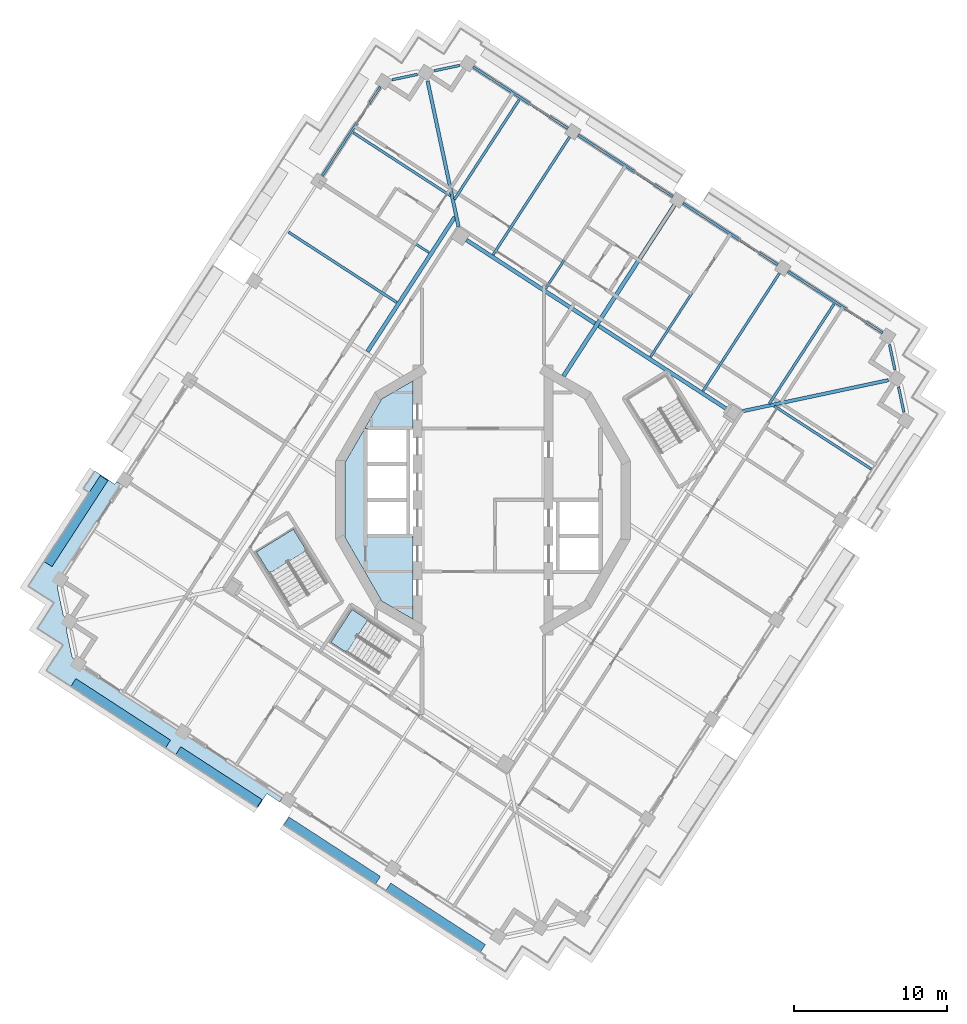
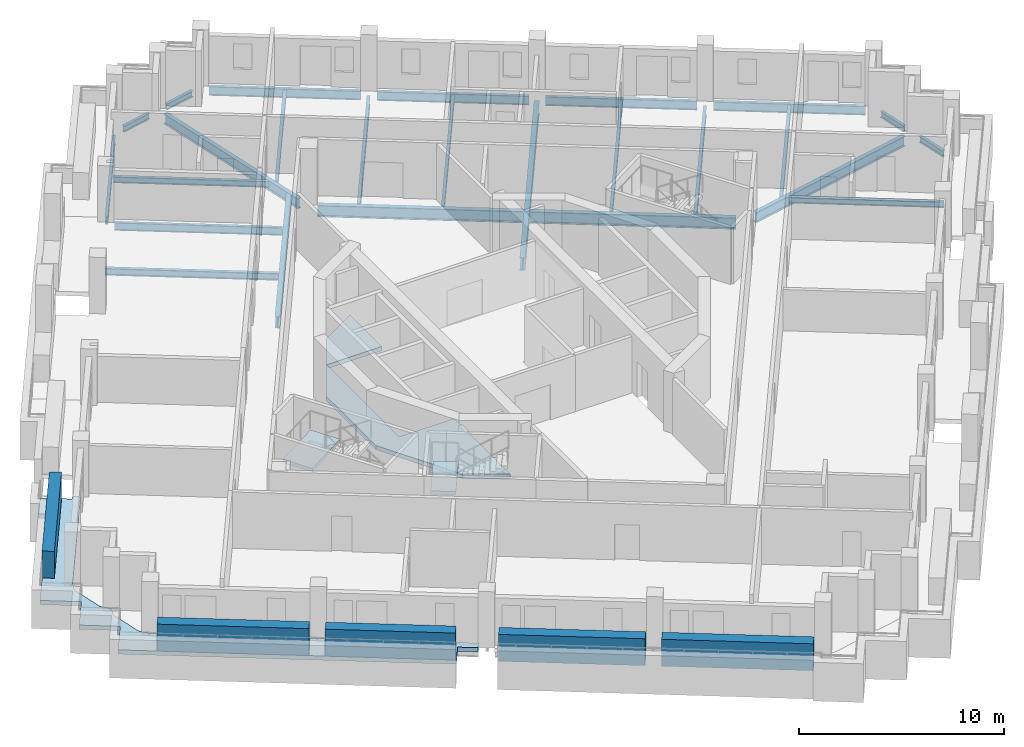
# One storey, part 2 of 15: 25 beams, 5 plates, 4 slabs, 2 elements without a shape of their own.
"""IFC4 building model written with IfcOpenShell, lengths in metres."""

import ifcopenshell
import ifcopenshell.guid

model = None  # the IFC model being written
_history = None  # IfcOwnerHistory: only IFC2X3 demands one
_inside = {}  # id of a spatial element -> (the spatial element, [elements in it])
_under = {}  # id of a project, library or spatial element -> (it, [spatial elements below it])
_declared = {}  # id of a project -> (the project, [libraries it declares])
_typed = {}  # id of a type object -> (the type object, [elements of that type])
_made_of = {}  # id of a material, layer set ... -> (it, [elements and type objects made of it])


def new_model(schema):
    """Start an empty IFC model of exactly this schema.

    Asked for "IFC4X3", IfcOpenShell would pick the latest addendum, in which some entities
    have other attributes; the version numbers below select the first issue.
    IFC2X3 requires an IfcOwnerHistory on every rooted entity: one is made here for all.
    """
    global model, _history
    if schema == "IFC4X3":
        model = ifcopenshell.file(schema_version=(4, 3, 0, 0))
    else:
        model = ifcopenshell.file(schema=schema)
    _inside.clear()
    _under.clear()
    _declared.clear()
    _typed.clear()
    _made_of.clear()
    _history = None
    if model.schema == "IFC2X3":
        org = make("IfcOrganization", Name="unknown")
        user = make(
            "IfcPersonAndOrganization",
            ThePerson=make("IfcPerson", FamilyName="unknown"),
            TheOrganization=org,
        )
        app = make(
            "IfcApplication",
            ApplicationDeveloper=org,
            Version="unknown",
            ApplicationFullName="unknown",
            ApplicationIdentifier="unknown",
        )
        _history = make(
            "IfcOwnerHistory",
            OwningUser=user,
            OwningApplication=app,
            ChangeAction="ADDED",
            CreationDate=0,
        )
    return model


def make(cls, **values):
    """One entity of the class cls with the attributes given. An attribute that is None is left unset."""
    return model.create_entity(
        cls, **{name: value for name, value in values.items() if value is not None}
    )


def rooted(cls, **values):
    """An entity with a GlobalId (a new one), such as an element, a storey or a relation."""
    return make(cls, GlobalId=ifcopenshell.guid.new(), OwnerHistory=_history, **values)


def si_unit(unit_type, name, prefix=None):
    """IfcSIUnit, for example si_unit("LENGTHUNIT", "METRE", prefix="MILLI")."""
    return make("IfcSIUnit", UnitType=unit_type, Prefix=prefix, Name=name)


def assignment(units):
    """IfcUnitAssignment: the units of a project."""
    return None if units is None else make("IfcUnitAssignment", Units=units)


def point(xyz):
    """IfcCartesianPoint."""
    return None if xyz is None else make("IfcCartesianPoint", Coordinates=xyz)


def direction(xyz):
    """IfcDirection."""
    return None if xyz is None else make("IfcDirection", DirectionRatios=xyz)


def frame(location, z_axis=None, x_axis=None):
    """IfcAxis2Placement3D, a coordinate frame: its origin and axes. An axis left out is left unset."""
    return make(
        "IfcAxis2Placement3D",
        Location=point(location),
        Axis=direction(z_axis),
        RefDirection=direction(x_axis),
    )


def frame_2d(location, x_axis=None):
    """IfcAxis2Placement2D, a coordinate frame in the plane: its origin and x axis."""
    return make(
        "IfcAxis2Placement2D", Location=point(location), RefDirection=direction(x_axis)
    )


def origin():
    """The frame at (0, 0, 0) with its axes left unset."""
    return frame((0.0, 0.0, 0.0))


def origin_2d():
    """The frame at (0, 0) in the plane with its x axis left unset."""
    return frame_2d((0.0, 0.0))


def place(relative_to, where):
    """IfcLocalPlacement: puts the frame where relative to a parent placement (None: the world)."""
    return make(
        "IfcLocalPlacement", PlacementRelTo=relative_to, RelativePlacement=where
    )


def context(
    kind, dimensions, precision=None, world=None, true_north=None, identifier=None
):
    """IfcGeometricRepresentationContext, for example the 3D "Model" context."""
    return make(
        "IfcGeometricRepresentationContext",
        ContextIdentifier=identifier,
        ContextType=kind,
        CoordinateSpaceDimension=dimensions,
        Precision=precision,
        WorldCoordinateSystem=world,
        TrueNorth=true_north,
    )


def subcontext(parent, identifier, kind, view, scale=None):
    """IfcGeometricRepresentationSubContext, for example "Body" below "Model"."""
    return make(
        "IfcGeometricRepresentationSubContext",
        ContextIdentifier=identifier,
        ContextType=kind,
        ParentContext=parent,
        TargetScale=scale,
        TargetView=view,
    )


def project(units=None, contexts=None):
    """IfcProject with its units and contexts."""
    return rooted(
        "IfcProject",
        Name="project",
        RepresentationContexts=contexts,
        UnitsInContext=assignment(units),
    )


def spatial(cls, under=None, at=None, **own):
    """A site, building, storey or space (cls), placed at a placement, below another one or the project."""
    s = rooted(cls, ObjectPlacement=at, **own)
    if under is not None:
        _under.setdefault(under.id(), (under, []))[1].append(s)
    return s


def polyline(points):
    """IfcPolyline through the points."""
    return make("IfcPolyline", Points=[point(p) for p in points])


def profile(cls, at=None, kind="AREA", **sizes):
    """A parametric profile (cls). Its sizes go by their IFC names, for example OverallWidth=200.0."""
    return make(cls, ProfileType=kind, Position=at, **sizes)


def rectangle(**sizes):
    """IfcRectangleProfileDef."""
    return profile("IfcRectangleProfileDef", **sizes)


def i_section(**sizes):
    """IfcIShapeProfileDef."""
    return profile("IfcIShapeProfileDef", **sizes)


def outline(outer, holes=None, kind="AREA"):
    """IfcArbitraryClosedProfileDef: a profile drawn as a closed curve; with holes, ...WithVoids."""
    if holes is None:
        return make("IfcArbitraryClosedProfileDef", ProfileType=kind, OuterCurve=outer)
    return make(
        "IfcArbitraryProfileDefWithVoids",
        ProfileType=kind,
        OuterCurve=outer,
        InnerCurves=holes,
    )


def extrude(swept, where, along, depth):
    """IfcExtrudedAreaSolid: the profile swept, set in the frame where, extruded along a direction by depth."""
    return make(
        "IfcExtrudedAreaSolid",
        SweptArea=swept,
        Position=where,
        ExtrudedDirection=direction(along),
        Depth=depth,
    )


def shape(context_of_items, identifier, shape_type, items):
    """IfcShapeRepresentation: the items that make up one representation, for example the "Body"."""
    return make(
        "IfcShapeRepresentation",
        ContextOfItems=context_of_items,
        RepresentationIdentifier=identifier,
        RepresentationType=shape_type,
        Items=items,
    )


def material(Name=None, Category=None):
    """IfcMaterial."""
    return make("IfcMaterial", Name=Name, Category=Category)


def layer(
    of_material, thickness, ventilated=None, Name=None, Category=None, Priority=None
):
    """IfcMaterialLayer: one layer of a wall or slab, of a material (None: an air gap)."""
    return make(
        "IfcMaterialLayer",
        Material=of_material,
        LayerThickness=thickness,
        IsVentilated=ventilated,
        Name=Name,
        Category=Category,
        Priority=Priority,
    )


def layer_set(layers, Name=None):
    """IfcMaterialLayerSet."""
    return make("IfcMaterialLayerSet", MaterialLayers=layers, LayerSetName=Name)


def material_profile(
    of_material, cross_section, Name=None, Category=None, Priority=None
):
    """IfcMaterialProfile: a cross section and its material."""
    return make(
        "IfcMaterialProfile",
        Name=Name,
        Material=of_material,
        Profile=cross_section,
        Priority=Priority,
        Category=Category,
    )


def profile_set(profiles, Name=None, composite=None):
    """IfcMaterialProfileSet."""
    return make(
        "IfcMaterialProfileSet",
        Name=Name,
        MaterialProfiles=profiles,
        CompositeProfile=composite,
    )


def made_of(thing, what):
    """Note that an element or type object is made of a material, layer set ...; save() writes the relation."""
    if what is not None:
        _made_of.setdefault(what.id(), (what, []))[1].append(thing)
    return thing


def type_object(cls, material=None, **own):
    """A type object (cls), such as IfcWallType, which elements share."""
    return made_of(rooted(cls, **own), material)


def element(
    cls,
    number,
    at=None,
    inside=None,
    cuts=None,
    type_object=None,
    material=None,
    context=None,
    identifier="Body",
    shape_type=None,
    held_by="IfcProductDefinitionShape",
    body=None,
    shapes=None,
    **own,
):
    """One element of the class cls, such as IfcWall. Its Tag is "e" and its number.

    at: its placement. inside: the storey or other place that contains it. cuts: it is an
    opening in that element (IfcRelVoidsElement). A single representation is given by context,
    identifier, shape_type and body (its items); several are given by shapes. held_by: the class
    of the entity that holds the representations. save() writes the other relations.
    """
    e = rooted(cls, Tag="e%d" % number, ObjectPlacement=at, **own)
    if body is not None:
        shapes = [shape(context, identifier, shape_type, body)]
    if shapes is not None:
        e.Representation = make(held_by, Representations=shapes)
    if inside is not None:
        _inside.setdefault(inside.id(), (inside, []))[1].append(e)
    if cuts is not None:
        rooted(
            "IfcRelVoidsElement", RelatingBuildingElement=cuts, RelatedOpeningElement=e
        )
    if type_object is not None:
        _typed.setdefault(type_object.id(), (type_object, []))[1].append(e)
    return made_of(e, material)


def aggregate(whole, parts):
    """IfcRelAggregates: a whole, such as a stair, and the parts it consists of."""
    return rooted("IfcRelAggregates", RelatingObject=whole, RelatedObjects=parts)


def save(model, path):
    """Write the relations noted so far, then the file.

    IfcRelAggregates (storeys below a building ...), IfcRelContainedInSpatialStructure (elements
    in a storey), IfcRelDefinesByType, IfcRelAssociatesMaterial and IfcRelDeclares: one each for
    every whole, place, type object, material and project.
    """
    for whole, parts in _under.values():
        aggregate(whole, parts)
    for where, things in _inside.values():
        rooted(
            "IfcRelContainedInSpatialStructure",
            RelatedElements=things,
            RelatingStructure=where,
        )
    for kind, things in _typed.values():
        rooted("IfcRelDefinesByType", RelatedObjects=things, RelatingType=kind)
    for what, things in _made_of.values():
        rooted("IfcRelAssociatesMaterial", RelatedObjects=things, RelatingMaterial=what)
    for by, libraries in _declared.values():
        rooted("IfcRelDeclares", RelatingContext=by, RelatedDefinitions=libraries)
    model.write(path)


model = new_model("IFC4")

# Units and contexts
model_context = context("Model", 3, precision=1e-05, world=origin(), true_north=direction((0.0, 1.0)))
body_context = subcontext(model_context, "Body", "Model", "MODEL_VIEW")
ifc_project = project(units=[si_unit("LENGTHUNIT", "METRE"), si_unit("AREAUNIT", "SQUARE_METRE"), si_unit("VOLUMEUNIT", "CUBIC_METRE"), si_unit("PLANEANGLEUNIT", "RADIAN"), si_unit("MASSUNIT", "GRAM", prefix="KILO")], contexts=[model_context])

# Site, building, storey
site_placement = place(None, origin())
site = spatial("IfcSite", under=ifc_project, at=site_placement, CompositionType="ELEMENT")
building_placement = place(site_placement, origin())
building = spatial("IfcBuilding", under=site, at=building_placement, Name="Cantera Rosa Tower", CompositionType="ELEMENT")
storey_placement = place(building_placement, frame((0.0, 0.0, 282.89990234375)))
storey = spatial("IfcBuildingStorey", under=building, at=storey_placement, Name="L64", CompositionType="ELEMENT", Elevation=282.89990234375)

# Beams
ifc_material_1 = material(Name="Steel ASTM A992 (Fy 345 MPa)", Category="steel")
ifc_material_profile_1 = material_profile(ifc_material_1, i_section(OverallWidth=0.154052734375, OverallDepth=0.4599609375, WebThickness=0.009033203125, FlangeThickness=0.015380859375, FilletRadius=0.01025390625, at=origin_2d()), Name="W460X68")
ifc_profile_set_1 = profile_set([ifc_material_profile_1], Name="Steel ASTM A992 (Fy 345 MPa)")
beam_type_1 = type_object("IfcBeamType", Name="STEEL BEAM W460X68", PredefinedType="BEAM", material=ifc_profile_set_1)
beam_1_placement = place(storey_placement, frame((-10.41748046875, 20.68017578125, -0.47998046875), z_axis=(0.838672777751, -0.544635632198, 0.0), x_axis=(0.544635632198, 0.838672777751, 0.0)))
element("IfcBeam", 1, at=beam_1_placement, inside=storey, type_object=beam_type_1, Name="G-Z5-04 L64", PredefinedType="BEAM", context=body_context, shape_type="SweptSolid", body=[
    extrude(i_section(OverallWidth=0.154052734375, OverallDepth=0.4599609375, WebThickness=0.009033203125, FlangeThickness=0.015380859375, FilletRadius=0.01025390625, at=origin_2d()), origin(), (0.0, 0.0, 1.0), 8.2001953125),
])
ifc_material_2 = material(Name="Steel ASTM A992 (Fy 345 MPa)", Category="steel")
ifc_material_profile_2 = material_profile(ifc_material_2, i_section(OverallWidth=0.166015625, OverallDepth=0.528076171875, WebThickness=0.009765625, FlangeThickness=0.013671875, FilletRadius=0.0126953125, at=origin_2d()), Name="W530X74")
ifc_profile_set_2 = profile_set([ifc_material_profile_2], Name="Steel ASTM A992 (Fy 345 MPa)")
beam_type_2 = type_object("IfcBeamType", Name="STEEL BEAM W530X74", PredefinedType="BEAM", material=ifc_profile_set_2)
beam_2_placement = place(storey_placement, frame((19.430908203125, 14.865234375, -0.513916015625), z_axis=(-0.544634776066, -0.838673333724, 0.0), x_axis=(0.838673333724, -0.544634776066, 0.0)))
element("IfcBeam", 2, at=beam_2_placement, inside=storey, type_object=beam_type_2, Name="G-Z5-01 L64", PredefinedType="BEAM", context=body_context, shape_type="SweptSolid", body=[
    extrude(i_section(OverallWidth=0.166015625, OverallDepth=0.528076171875, WebThickness=0.009765625, FlangeThickness=0.013671875, FilletRadius=0.0126953125, at=origin_2d()), origin(), (0.0, 0.0, 1.0), 9.19970703125),
])
beam_3_placement = place(storey_placement, frame((5.6767578125, 23.79736328125, -0.513916015625), z_axis=(-0.544622654601, -0.838681205283, 0.0), x_axis=(0.838681205283, -0.544622654601, 0.0)))
element("IfcBeam", 3, at=beam_3_placement, inside=storey, type_object=beam_type_2, Name="G-Z5-03 L64", PredefinedType="BEAM", context=body_context, shape_type="SweptSolid", body=[
    extrude(i_section(OverallWidth=0.166015625, OverallDepth=0.528076171875, WebThickness=0.009765625, FlangeThickness=0.013671875, FilletRadius=0.0126953125, at=origin_2d()), origin(), (0.0, 0.0, 1.0), 9.199951171875),
])
ifc_material_3 = material(Name="Steel ASTM A992 (Fy 345 MPa)", Category="steel")
ifc_material_profile_3 = material_profile(ifc_material_3, i_section(OverallWidth=0.22802734375, OverallDepth=0.60205078125, WebThickness=0.010498046875, FlangeThickness=0.014892578125, FilletRadius=0.0126953125, at=origin_2d()), Name="W610X101")
ifc_profile_set_3 = profile_set([ifc_material_profile_3], Name="Steel ASTM A992 (Fy 345 MPa)")
beam_type_3 = type_object("IfcBeamType", Name="STEEL BEAM W610X101", PredefinedType="BEAM", material=ifc_profile_set_3)
for number, where, z_axis, x_axis, name in (
    (4, (-3.63134765625, 27.45751953125, -0.55078125), (0.20790902572, -0.978148167214, 0.0), (0.978148167214, 0.20790902572, 0.0), "CB-Z5-01 L64"),
    (5, (26.560791015625, 7.8505859375, -0.55078125), (-0.978148167214, -0.20790902572, 0.0), (0.20790902572, -0.978148167214, 0.0), "CB-Z5-04 L64"),
):
    element("IfcBeam", number, at=place(storey_placement, frame(where, z_axis=z_axis, x_axis=x_axis)), inside=storey, type_object=beam_type_3, Name=name, PredefinedType="BEAM", context=body_context, shape_type="SweptSolid", body=[
        extrude(i_section(OverallWidth=0.22802734375, OverallDepth=0.60205078125, WebThickness=0.010498046875, FlangeThickness=0.014892578125, FilletRadius=0.0126953125, at=origin_2d()), origin(), (0.0, 0.0, 1.0), 9.758056640625),
    ])
ifc_material_4 = material(Name="Steel ASTM A992 (Fy 345 MPa)", Category="steel")
ifc_material_profile_4 = material_profile(ifc_material_4, i_section(OverallWidth=0.25390625, OverallDepth=0.677978515625, WebThickness=0.01171875, FlangeThickness=0.016357421875, FilletRadius=0.01513671875, at=origin_2d()), Name="W690X125")
ifc_profile_set_4 = profile_set([ifc_material_profile_4], Name="Steel ASTM A992 (Fy 345 MPa)")
beam_type_4 = type_object("IfcBeamType", Name="STEEL BEAM W690X125", PredefinedType="BEAM", material=ifc_profile_set_4)
beam_4_placement = place(storey_placement, frame((-7.570068359375, 9.733154296875, -0.5888671875), z_axis=(0.544635575355, 0.838672814665, 0.0), x_axis=(-0.838672814665, 0.544635575355, 0.0)))
element("IfcBeam", 6, at=beam_4_placement, inside=storey, type_object=beam_type_4, Name="RB-Z5-03 L64", PredefinedType="BEAM", context=body_context, shape_type="SweptSolid", body=[
    extrude(i_section(OverallWidth=0.25390625, OverallDepth=0.677978515625, WebThickness=0.01171875, FlangeThickness=0.016357421875, FilletRadius=0.01513671875, at=origin_2d()), origin(), (0.0, 0.0, 1.0), 10.510009765625),
])
beam_5_placement = place(storey_placement, frame((16.01611328125, 5.9345703125, -0.5888671875), z_axis=(-0.838672207367, 0.544636510519, 0.0), x_axis=(-0.544636510519, -0.838672207367, 0.0)))
element("IfcBeam", 7, at=beam_5_placement, inside=storey, type_object=beam_type_4, Name="RB-Z5-07 L64", PredefinedType="BEAM", context=body_context, shape_type="SweptSolid", body=[
    extrude(i_section(OverallWidth=0.25390625, OverallDepth=0.677978515625, WebThickness=0.01171875, FlangeThickness=0.016357421875, FilletRadius=0.01513671875, at=origin_2d()), origin(), (0.0, 0.0, 1.0), 10.050048828125),
])
beam_6_placement = place(storey_placement, frame((7.335693359375, 11.571533203125, -0.5888671875), z_axis=(-0.838665001306, 0.544647606792, 0.0), x_axis=(-0.544647606792, -0.838665001306, 0.0)))
element("IfcBeam", 8, at=beam_6_placement, inside=storey, type_object=beam_type_4, Name="RB-Z5-08 L64", PredefinedType="BEAM", context=body_context, shape_type="SweptSolid", body=[
    extrude(i_section(OverallWidth=0.25390625, OverallDepth=0.677978515625, WebThickness=0.01171875, FlangeThickness=0.016357421875, FilletRadius=0.01513671875, at=origin_2d()), origin(), (0.0, 0.0, 1.0), 10.0498046875),
])
ifc_material_5 = material(Name="Steel ASTM A992 (Fy 345 MPa)", Category="steel")
ifc_material_profile_5 = material_profile(ifc_material_5, i_section(OverallWidth=0.26708984375, OverallDepth=0.75390625, WebThickness=0.01318359375, FlangeThickness=0.01708984375, FilletRadius=0.0166015625, at=origin_2d()), Name="W760X147")
ifc_profile_set_5 = profile_set([ifc_material_profile_5], Name="Steel ASTM A992 (Fy 345 MPa)")
beam_type_5 = type_object("IfcBeamType", Name="STEEL BEAM W760X147", PredefinedType="BEAM", material=ifc_profile_set_5)
beam_7_placement = place(storey_placement, frame((12.553955078125, 19.331298828125, -0.626953125), z_axis=(-0.54464061985, -0.838669538739, 0.0), x_axis=(0.838669538739, -0.54464061985, 0.0)))
element("IfcBeam", 9, at=beam_7_placement, inside=storey, type_object=beam_type_5, Name="G-Z5-02 L64", PredefinedType="BEAM", context=body_context, shape_type="SweptSolid", body=[
    extrude(i_section(OverallWidth=0.26708984375, OverallDepth=0.75390625, WebThickness=0.01318359375, FlangeThickness=0.01708984375, FilletRadius=0.0166015625, at=origin_2d()), origin(), (0.0, 0.0, 1.0), 13.37744140625),
])
ifc_material_6 = material(Name="Steel ASTM A992 (Fy 345 MPa)", Category="steel")
ifc_material_profile_6 = material_profile(ifc_material_6, i_section(OverallWidth=0.1708984375, OverallDepth=0.35595703125, WebThickness=0.00732421875, FlangeThickness=0.01171875, FilletRadius=0.010009765625, at=origin_2d()), Name="W360X51")
ifc_profile_set_6 = profile_set([ifc_material_profile_6], Name="Steel ASTM A992 (Fy 345 MPa)")
beam_type_6 = type_object("IfcBeamType", Name="STEEL JOIST W360X51", PredefinedType="JOIST", material=ifc_profile_set_6)
for number, where, z_axis, x_axis, name in (
    (10, (23.005859375, 12.842041015625, -0.427978515625), (-0.544641754757, -0.838668801718, 0.0), (0.838668801718, -0.544641754757, 0.0), "B-Z5-01 L64"),
    (11, (2.37451171875, 26.239990234375, -0.427978515625), (-0.54465605183, -0.838659516851, 0.0), (0.838659516851, -0.54465605183, 0.0), "B-Z5-04 L64"),
):
    element("IfcBeam", number, at=place(storey_placement, frame(where, z_axis=z_axis, x_axis=x_axis)), inside=storey, type_object=beam_type_6, Name=name, PredefinedType="JOIST", context=body_context, shape_type="SweptSolid", body=[
        extrude(i_section(OverallWidth=0.1708984375, OverallDepth=0.35595703125, WebThickness=0.00732421875, FlangeThickness=0.01171875, FilletRadius=0.010009765625, at=origin_2d()), origin(), (0.0, 0.0, 1.0), 7.800048828125),
    ])
beam_8_placement = place(storey_placement, frame((-8.508544921875, 24.07861328125, -0.427978515625), z_axis=(0.838670629323, -0.544638940502, 0.0), x_axis=(0.544638940502, 0.838670629323, 0.0)))
element("IfcBeam", 12, at=beam_8_placement, inside=storey, type_object=beam_type_6, Name="B-Z5-05 L64", PredefinedType="JOIST", context=body_context, shape_type="SweptSolid", body=[
    extrude(i_section(OverallWidth=0.1708984375, OverallDepth=0.35595703125, WebThickness=0.00732421875, FlangeThickness=0.01171875, FilletRadius=0.010009765625, at=origin_2d()), origin(), (0.0, 0.0, 1.0), 7.58984375),
])
beam_9_placement = place(storey_placement, frame((25.457763671875, 2.020751953125, -0.427978515625), z_axis=(-0.838680170462, 0.54462424815, 0.0), x_axis=(-0.54462424815, -0.838680170462, 0.0)))
element("IfcBeam", 13, at=beam_9_placement, inside=storey, type_object=beam_type_6, Name="B-Z5-14 L64", PredefinedType="JOIST", context=body_context, shape_type="SweptSolid", body=[
    extrude(i_section(OverallWidth=0.1708984375, OverallDepth=0.35595703125, WebThickness=0.00732421875, FlangeThickness=0.01171875, FilletRadius=0.010009765625, at=origin_2d()), origin(), (0.0, 0.0, 1.0), 7.590087890625),
])
ifc_material_7 = material(Name="Steel ASTM A992 (Fy 345 MPa)", Category="steel")
ifc_material_profile_7 = material_profile(ifc_material_7, i_section(OverallWidth=0.177978515625, OverallDepth=0.406005859375, WebThickness=0.0078125, FlangeThickness=0.0126953125, FilletRadius=0.01025390625, at=origin_2d()), Name="W410X60")
ifc_profile_set_7 = profile_set([ifc_material_profile_7], Name="Steel ASTM A992 (Fy 345 MPa)")
beam_type_7 = type_object("IfcBeamType", Name="STEEL JOIST W410X60", PredefinedType="JOIST", material=ifc_profile_set_7)
beam_10_placement = place(storey_placement, frame((-12.745849609375, 17.5537109375, -0.452880859375), z_axis=(0.838683812595, -0.5446186395, 0.0), x_axis=(0.5446186395, 0.838683812595, 0.0)))
element("IfcBeam", 14, at=beam_10_placement, inside=storey, type_object=beam_type_7, Name="B-Z5-06 L64", PredefinedType="JOIST", context=body_context, shape_type="SweptSolid", body=[
    extrude(i_section(OverallWidth=0.177978515625, OverallDepth=0.406005859375, WebThickness=0.0078125, FlangeThickness=0.0126953125, FilletRadius=0.01025390625, at=origin_2d()), origin(), (0.0, 0.0, 1.0), 8.449951171875),
])
ifc_material_8 = material(Name="Steel ASTM A992 (Fy 345 MPa)", Category="steel")
ifc_material_profile_8 = material_profile(ifc_material_8, i_section(OverallWidth=0.154052734375, OverallDepth=0.4599609375, WebThickness=0.009033203125, FlangeThickness=0.015380859375, FilletRadius=0.01025390625, at=origin_2d()), Name="W460X68")
ifc_profile_set_8 = profile_set([ifc_material_profile_8], Name="Steel ASTM A992 (Fy 345 MPa)")
beam_type_8 = type_object("IfcBeamType", Name="STEEL JOIST W460X68", PredefinedType="JOIST", material=ifc_profile_set_8)
beam_11_placement = place(storey_placement, frame((16.128662109375, 17.30810546875, -0.47998046875), z_axis=(-0.544644146603, -0.838667248419, 0.0), x_axis=(0.838667248419, -0.544644146603, 0.0)))
element("IfcBeam", 15, at=beam_11_placement, inside=storey, type_object=beam_type_8, Name="B-Z5-02 L64", PredefinedType="JOIST", context=body_context, shape_type="SweptSolid", body=[
    extrude(i_section(OverallWidth=0.154052734375, OverallDepth=0.4599609375, WebThickness=0.009033203125, FlangeThickness=0.015380859375, FilletRadius=0.01025390625, at=origin_2d()), origin(), (0.0, 0.0, 1.0), 9.4501953125),
])
beam_12_placement = place(storey_placement, frame((9.25146484375, 21.77392578125, -0.47998046875), z_axis=(-0.544637775879, -0.838671385636, 0.0), x_axis=(0.838671385636, -0.544637775879, 0.0)))
element("IfcBeam", 16, at=beam_12_placement, inside=storey, type_object=beam_type_8, Name="B-Z5-03 L64", PredefinedType="JOIST", context=body_context, shape_type="SweptSolid", body=[
    extrude(i_section(OverallWidth=0.154052734375, OverallDepth=0.4599609375, WebThickness=0.009033203125, FlangeThickness=0.015380859375, FilletRadius=0.01025390625, at=origin_2d()), origin(), (0.0, 0.0, 1.0), 9.44970703125),
])
ifc_material_9 = material(Name="Steel ASTM A992 (Fy 345 MPa)", Category="steel")
ifc_material_profile_9 = material_profile(ifc_material_9, i_section(OverallWidth=0.1708984375, OverallDepth=0.35595703125, WebThickness=0.00732421875, FlangeThickness=0.01171875, FilletRadius=0.010009765625, at=origin_2d()), Name="W360X51")
ifc_profile_set_9 = profile_set([ifc_material_profile_9], Name="Steel ASTM A992 (Fy 345 MPa)")
beam_type_9 = type_object("IfcBeamType", Name="STEEL SPANDREL BEAM W360X51", PredefinedType="SPANDREL", material=ifc_profile_set_9)
for number, where, z_axis, x_axis, name in (
    (17, (-1.53564453125, 28.481201171875, -0.427978515625), (-0.978158850918, -0.20785875582, 0.0), (0.20785875582, -0.978158850918, 0.0), "EB-Z5-05 L64"),
    (18, (-4.30224609375, 27.893310546875, -0.427978515625), (-0.978129595322, -0.207996381593, 0.0), (0.207996381593, -0.978129595322, 0.0), "EB-Z5-06 L64"),
):
    element("IfcBeam", number, at=place(storey_placement, frame(where, z_axis=z_axis, x_axis=x_axis)), inside=storey, type_object=beam_type_9, Name=name, PredefinedType="SPANDREL", context=body_context, shape_type="SweptSolid", body=[
        extrude(i_section(OverallWidth=0.1708984375, OverallDepth=0.35595703125, WebThickness=0.00732421875, FlangeThickness=0.01171875, FilletRadius=0.010009765625, at=origin_2d()), origin(), (0.0, 0.0, 1.0), 1.697265625),
    ])
for number, where, z_axis, x_axis, name in (
    (19, (27.58447265625, 5.7548828125, -0.427978515625), (-0.207888006632, 0.978152634663, 0.0), (-0.978152634663, -0.207888006632, 0.0), "EB-Z5-25 L64"),
    (20, (26.996337890625, 8.521484375, -0.427978515625), (-0.207888006632, 0.978152634663, 0.0), (-0.978152634663, -0.207888006632, 0.0), "EB-Z5-26 L64"),
):
    element("IfcBeam", number, at=place(storey_placement, frame(where, z_axis=z_axis, x_axis=x_axis)), inside=storey, type_object=beam_type_9, Name=name, PredefinedType="SPANDREL", context=body_context, shape_type="SweptSolid", body=[
        extrude(i_section(OverallWidth=0.1708984375, OverallDepth=0.35595703125, WebThickness=0.00732421875, FlangeThickness=0.01171875, FilletRadius=0.010009765625, at=origin_2d()), origin(), (0.0, 0.0, 1.0), 1.697021484375),
    ])
ifc_material_10 = material(Name="Steel ASTM A992 (Fy 345 MPa)", Category="steel")
ifc_material_profile_10 = material_profile(ifc_material_10, i_section(OverallWidth=0.154052734375, OverallDepth=0.4599609375, WebThickness=0.009033203125, FlangeThickness=0.015380859375, FilletRadius=0.01025390625, at=origin_2d()), Name="W460X68")
ifc_profile_set_10 = profile_set([ifc_material_profile_10], Name="Steel ASTM A992 (Fy 345 MPa)")
beam_type_10 = type_object("IfcBeamType", Name="STEEL SPANDREL BEAM W460X68", PredefinedType="SPANDREL", material=ifc_profile_set_10)
beam_13_placement = place(storey_placement, frame((-6.7333984375, 27.08740234375, -0.47998046875), z_axis=(-0.544651451949, -0.838662504164, 0.0), x_axis=(0.838662504164, -0.544651451949, 0.0)))
element("IfcBeam", 21, at=beam_13_placement, inside=storey, type_object=beam_type_10, Name="EB-Z5-07 L64", PredefinedType="SPANDREL", context=body_context, shape_type="SweptSolid", body=[
    extrude(i_section(OverallWidth=0.154052734375, OverallDepth=0.4599609375, WebThickness=0.009033203125, FlangeThickness=0.015380859375, FilletRadius=0.01025390625, at=origin_2d()), origin(), (0.0, 0.0, 1.0), 6.980224609375),
])
ifc_material_11 = material(Name="Steel ASTM A992 (Fy 345 MPa)", Category="steel")
ifc_material_profile_11 = material_profile(ifc_material_11, i_section(OverallWidth=0.166015625, OverallDepth=0.528076171875, WebThickness=0.009765625, FlangeThickness=0.013671875, FilletRadius=0.0126953125, at=origin_2d()), Name="W530X74")
ifc_profile_set_11 = profile_set([ifc_material_profile_11], Name="Steel ASTM A992 (Fy 345 MPa)")
beam_type_11 = type_object("IfcBeamType", Name="STEEL SPANDREL BEAM W530X74", PredefinedType="SPANDREL", material=ifc_profile_set_11)
beam_14_placement = place(storey_placement, frame((26.1904296875, 10.95263671875, -0.513916015625), z_axis=(-0.838669679097, 0.544640403719, 0.0), x_axis=(-0.544640403719, -0.838669679097, 0.0)))
element("IfcBeam", 22, at=beam_14_placement, inside=storey, type_object=beam_type_11, Name="EB-Z5-01 L64", PredefinedType="SPANDREL", context=body_context, shape_type="SweptSolid", body=[
    extrude(i_section(OverallWidth=0.166015625, OverallDepth=0.528076171875, WebThickness=0.009765625, FlangeThickness=0.013671875, FilletRadius=0.0126953125, at=origin_2d()), origin(), (0.0, 0.0, 1.0), 7.39990234375),
])
beam_15_placement = place(storey_placement, frame((19.3134765625, 15.418701171875, -0.513916015625), z_axis=(-0.838679465365, 0.544625333946, 0.0), x_axis=(-0.544625333946, -0.838679465365, 0.0)))
element("IfcBeam", 23, at=beam_15_placement, inside=storey, type_object=beam_type_11, Name="EB-Z5-02 L64", PredefinedType="SPANDREL", context=body_context, shape_type="SweptSolid", body=[
    extrude(i_section(OverallWidth=0.166015625, OverallDepth=0.528076171875, WebThickness=0.009765625, FlangeThickness=0.013671875, FilletRadius=0.0126953125, at=origin_2d()), origin(), (0.0, 0.0, 1.0), 7.400146484375),
])
beam_16_placement = place(storey_placement, frame((12.436279296875, 19.884765625, -0.513916015625), z_axis=(-0.838669679097, 0.544640403719, 0.0), x_axis=(-0.544640403719, -0.838669679097, 0.0)))
element("IfcBeam", 24, at=beam_16_placement, inside=storey, type_object=beam_type_11, Name="EB-Z5-03 L64", PredefinedType="SPANDREL", context=body_context, shape_type="SweptSolid", body=[
    extrude(i_section(OverallWidth=0.166015625, OverallDepth=0.528076171875, WebThickness=0.009765625, FlangeThickness=0.013671875, FilletRadius=0.0126953125, at=origin_2d()), origin(), (0.0, 0.0, 1.0), 7.39990234375),
])
beam_17_placement = place(storey_placement, frame((5.559326171875, 24.350830078125, -0.513916015625), z_axis=(-0.838679465365, 0.544625333946, 0.0), x_axis=(-0.544625333946, -0.838679465365, 0.0)))
element("IfcBeam", 25, at=beam_17_placement, inside=storey, type_object=beam_type_11, Name="EB-Z5-04 L64", PredefinedType="SPANDREL", context=body_context, shape_type="SweptSolid", body=[
    extrude(i_section(OverallWidth=0.166015625, OverallDepth=0.528076171875, WebThickness=0.009765625, FlangeThickness=0.013671875, FilletRadius=0.0126953125, at=origin_2d()), origin(), (0.0, 0.0, 1.0), 7.400146484375),
])

# Slabs
ifc_material_12 = material(Name="Concrete C35/45", Category="concrete")
ifc_layer_1 = layer(ifc_material_12, 0.25)
ifc_layer_set_1 = layer_set([ifc_layer_1], Name="COMPOSITE FLOOR SLAB 250 C35/45")
slab_type_1 = type_object("IfcSlabType", Name="COMPOSITE FLOOR SLAB 250 C35/45", PredefinedType="FLOOR", material=ifc_layer_set_1)
slab_1_placement = place(storey_placement, frame((0.0, 0.0, -0.25)))
element("IfcSlab", 26, at=slab_1_placement, inside=storey, type_object=slab_type_1, Name="SLAB L64 floor 1", PredefinedType="FLOOR", context=body_context, shape_type="SweptSolid", body=[
    extrude(outline(polyline([(-6.6318359375, -6.6318359375), (-9.059326171875, -2.427490234375), (-9.059326171875, 2.427490234375), (-6.6318359375, 6.6318359375), (-4.60009765625, 7.804931640625), (-4.60009765625, 4.699951171875), (-7.699951171875, 4.699951171875), (-7.699951171875, 2.35009765625), (-7.699951171875, 0.0), (-7.699951171875, -2.35009765625), (-4.60009765625, -2.35009765625), (-4.60009765625, -7.804931640625), (-6.6318359375, -6.6318359375)])), origin(), (0.0, 0.0, 1.0), 0.25),
])
ifc_material_13 = material(Name="Concrete C35/45", Category="concrete")
ifc_layer_2 = layer(ifc_material_13, 0.25)
ifc_layer_set_2 = layer_set([ifc_layer_2], Name="LOGGIA SLAB 250 C35/45")
slab_type_2 = type_object("IfcSlabType", Name="LOGGIA SLAB 250 C35/45", PredefinedType="FLOOR", material=ifc_layer_set_2)
slab_2_placement = place(storey_placement, frame((0.0, 0.0, -0.25)))
element("IfcSlab", 27, at=slab_2_placement, inside=storey, type_object=slab_type_2, Name="LOGGIA SLAB L64 1", PredefinedType="FLOOR", context=body_context, shape_type="SweptSolid", body=[
    extrude(outline(polyline([(-28.600830078125, -11.17578125), (-27.783935546875, -9.917724609375), (-27.51171875, -9.49853515625), (-27.930908203125, -9.22607421875), (-29.18896484375, -8.4091796875), (-28.3720703125, -7.151123046875), (-28.099609375, -6.731689453125), (-28.51904296875, -6.45947265625), (-28.524658203125, -6.468017578125), (-29.791015625, -5.6455078125), (-25.80078125, 0.499267578125), (-26.180908203125, 0.74609375), (-25.438232421875, 1.889404296875), (-24.127197265625, 1.0380859375), (-24.01806640625, 1.205810546875), (-23.6826171875, 0.98779296875), (-27.13330078125, -4.32568359375), (-27.7021484375, -5.201416015625), (-27.863037109375, -5.643798828125), (-27.872802734375, -5.67138671875), (-27.87939453125, -5.7001953125), (-27.88330078125, -5.729248046875), (-27.884521484375, -5.7587890625), (-27.882568359375, -5.7880859375), (-27.8779296875, -5.817138671875), (-27.525146484375, -7.477294921875), (-27.517578125, -7.505615234375), (-27.50732421875, -7.533203125), (-27.494384765625, -7.559814453125), (-27.47900390625, -7.584716796875), (-27.461181640625, -7.608154296875), (-27.44091796875, -7.629638671875), (-27.114013671875, -7.968017578125), (-27.275146484375, -8.410400390625), (-27.28466796875, -8.43798828125), (-27.29150390625, -8.466796875), (-27.29541015625, -8.49609375), (-27.29638671875, -8.525390625), (-27.294677734375, -8.5546875), (-27.289794921875, -8.583740234375), (-26.93701171875, -10.243896484375), (-26.929443359375, -10.272216796875), (-26.919189453125, -10.2998046875), (-26.90625, -10.326416015625), (-26.890869140625, -10.351318359375), (-26.873046875, -10.374755859375), (-26.852783203125, -10.396240234375), (-26.52587890625, -10.734619140625), (-25.650146484375, -11.303466796875), (-13.107421875, -19.448974609375), (-13.3251953125, -19.784423828125), (-14.163818359375, -19.23974609375), (-14.762939453125, -20.162353515625), (-14.8466796875, -20.10791015625), (-19.207763671875, -17.275634765625), (-21.723876953125, -15.641845703125), (-27.343017578125, -11.992919921875), (-28.600830078125, -11.17578125)])), origin(), (0.0, 0.0, 1.0), 0.25),
])

# Plates
ifc_material_14 = material(Name="Cantera stone planter with soil", Category="masonry")
plate_type = type_object("IfcPlateType", Name="PLANTER 600", PredefinedType="USERDEFINED", material=ifc_material_14)
plate_1_placement = place(storey_placement, frame((-26.66650390625, -1.384765625, 0.0), z_axis=(0.0, 0.0, 1.0), x_axis=(-0.544639035015, -0.838670567945, 0.0)))
element("IfcPlate", 28, at=plate_1_placement, inside=storey, type_object=plate_type, Name="PLANTER L64-09", ObjectType="PLANTER", PredefinedType="USERDEFINED", context=body_context, shape_type="SweptSolid", body=[
    extrude(rectangle(XDim=6.72998046875, YDim=0.60009765625, at=origin_2d()), origin(), (0.0, 0.0, 1.0), 1.60009765625),
])
plate_2_placement = place(storey_placement, frame((-23.740966796875, -13.97412109375, 0.0), z_axis=(0.0, 0.0, 1.0), x_axis=(0.838670567945, -0.544639035015, 0.0)))
element("IfcPlate", 29, at=plate_2_placement, inside=storey, type_object=plate_type, Name="PLANTER L64-10", ObjectType="PLANTER", PredefinedType="USERDEFINED", context=body_context, shape_type="SweptSolid", body=[
    extrude(rectangle(XDim=7.39990234375, YDim=0.60009765625, at=origin_2d()), origin(), (0.0, 0.0, 1.0), 1.60009765625),
])
plate_3_placement = place(storey_placement, frame((-17.30419921875, -18.154296875, 0.0), z_axis=(0.0, 0.0, 1.0), x_axis=(0.838670567945, -0.544639035015, 0.0)))
element("IfcPlate", 30, at=plate_3_placement, inside=storey, type_object=plate_type, Name="PLANTER L64-11", ObjectType="PLANTER", PredefinedType="USERDEFINED", context=body_context, shape_type="SweptSolid", body=[
    extrude(rectangle(XDim=6.35009765625, YDim=0.60009765625, at=origin_2d()), origin(), (0.0, 0.0, 1.0), 1.60009765625),
])
plate_4_placement = place(storey_placement, frame((-9.882080078125, -22.974365234375, 0.0), z_axis=(0.0, 0.0, 1.0), x_axis=(0.838670567945, -0.544639035015, 0.0)))
element("IfcPlate", 31, at=plate_4_placement, inside=storey, type_object=plate_type, Name="PLANTER L64-12", ObjectType="PLANTER", PredefinedType="USERDEFINED", context=body_context, shape_type="SweptSolid", body=[
    extrude(rectangle(XDim=7.14990234375, YDim=0.60009765625, at=origin_2d()), origin(), (0.0, 0.0, 1.0), 1.60009765625),
])
plate_5_placement = place(storey_placement, frame((-3.109619140625, -27.372314453125, 0.0), z_axis=(0.0, 0.0, 1.0), x_axis=(0.838670567945, -0.544639035015, 0.0)))
element("IfcPlate", 32, at=plate_5_placement, inside=storey, type_object=plate_type, Name="PLANTER L64-13", ObjectType="PLANTER", PredefinedType="USERDEFINED", context=body_context, shape_type="SweptSolid", body=[
    extrude(rectangle(XDim=7.39990234375, YDim=0.60009765625, at=origin_2d()), origin(), (0.0, 0.0, 1.0), 1.60009765625),
])

# Stair, slab
ifc_material_15 = material(Name="Concrete C35/45", Category="concrete")
stair_type_1 = type_object("IfcStairType", Name="EXIT STAIR 1350 DOGLEG", PredefinedType="HALF_TURN_STAIR", material=ifc_material_15)
stair_1_placement = place(storey_placement, origin())
stair_1 = element("IfcStair", 33, at=stair_1_placement, inside=storey, type_object=stair_type_1, Name="L64 ST-52", PredefinedType="HALF_TURN_STAIR")
ifc_material_16 = material(Name="Concrete C35/45", Category="concrete")
ifc_layer_3 = layer(ifc_material_16, 0.199951171875)
ifc_layer_set_3 = layer_set([ifc_layer_3], Name="STAIR LANDING 200")
slab_type_3 = type_object("IfcSlabType", Name="STAIR LANDING 200", PredefinedType="LANDING", material=ifc_layer_set_3)
slab_3_placement = place(storey_placement, frame((0.0, 0.0, 1.60009765625)))
slab_3 = element("IfcSlab", 34, at=slab_3_placement, type_object=slab_type_3, Name="ST-52 landing 1", PredefinedType="LANDING", context=body_context, shape_type="SweptSolid", body=[
    extrude(outline(polyline([(-11.56884765625, -3.308837890625), (-12.430908203125, -1.911376953125), (-14.8564453125, -3.407470703125), (-13.99462890625, -4.80517578125), (-11.56884765625, -3.308837890625)])), origin(), (0.0, 0.0, 1.0), 0.199951171875),
])
aggregate(stair_1, [slab_3])

ifc_material_17 = material(Name="Concrete C35/45", Category="concrete")
stair_type_2 = type_object("IfcStairType", Name="EXIT STAIR 1200 DOGLEG", PredefinedType="HALF_TURN_STAIR", material=ifc_material_17)
stair_2_placement = place(storey_placement, origin())
stair_2 = element("IfcStair", 35, at=stair_2_placement, inside=storey, type_object=stair_type_2, Name="L64 ST-53", PredefinedType="HALF_TURN_STAIR")
slab_4_placement = place(storey_placement, frame((0.0, 0.0, 1.60009765625)))
slab_4 = element("IfcSlab", 36, at=slab_4_placement, type_object=slab_type_3, Name="ST-53 landing 1", PredefinedType="LANDING", context=body_context, shape_type="SweptSolid", body=[
    extrude(outline(polyline([(-7.53955078125, -7.859130859375), (-8.581298828125, -7.1826171875), (-9.97021484375, -9.3212890625), (-8.928466796875, -9.997802734375), (-7.53955078125, -7.859130859375)])), origin(), (0.0, 0.0, 1.0), 0.199951171875),
])
aggregate(stair_2, [slab_4])

save(model, "model.ifc")
